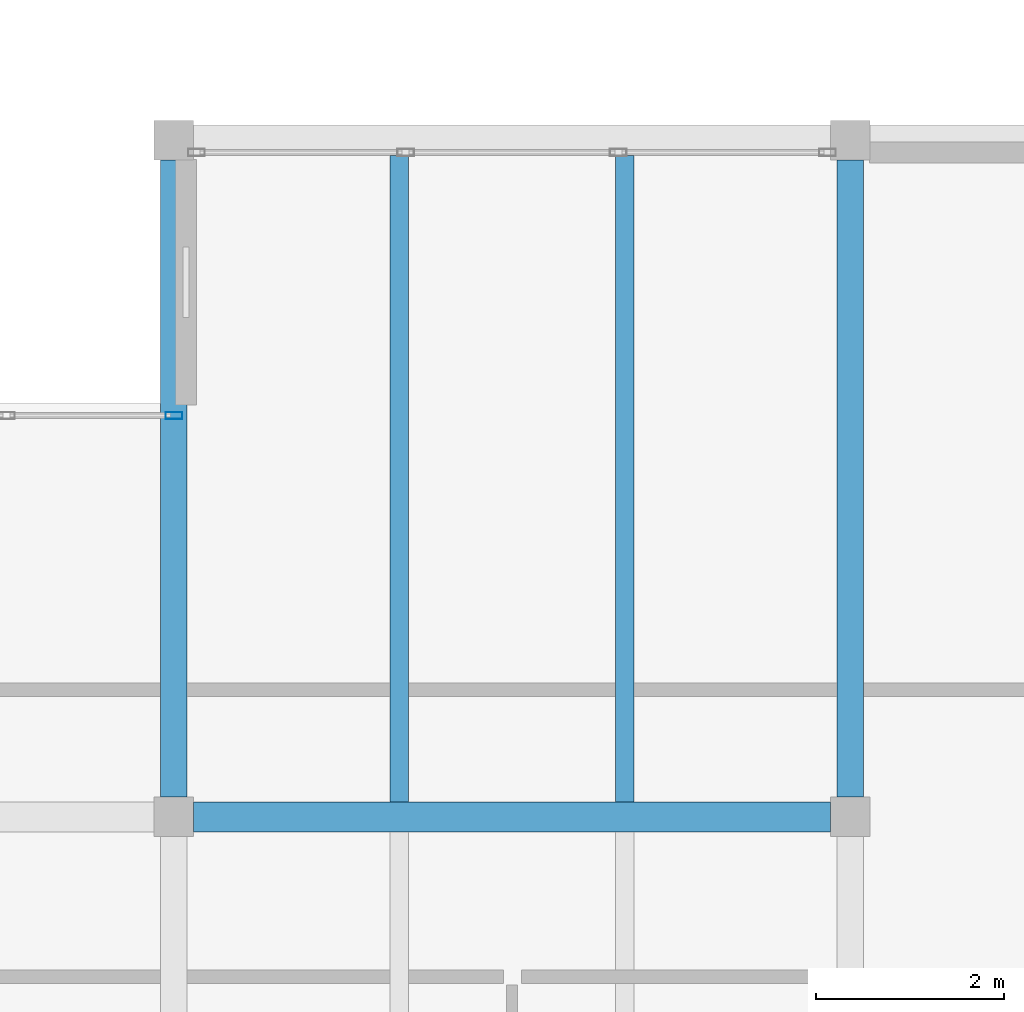
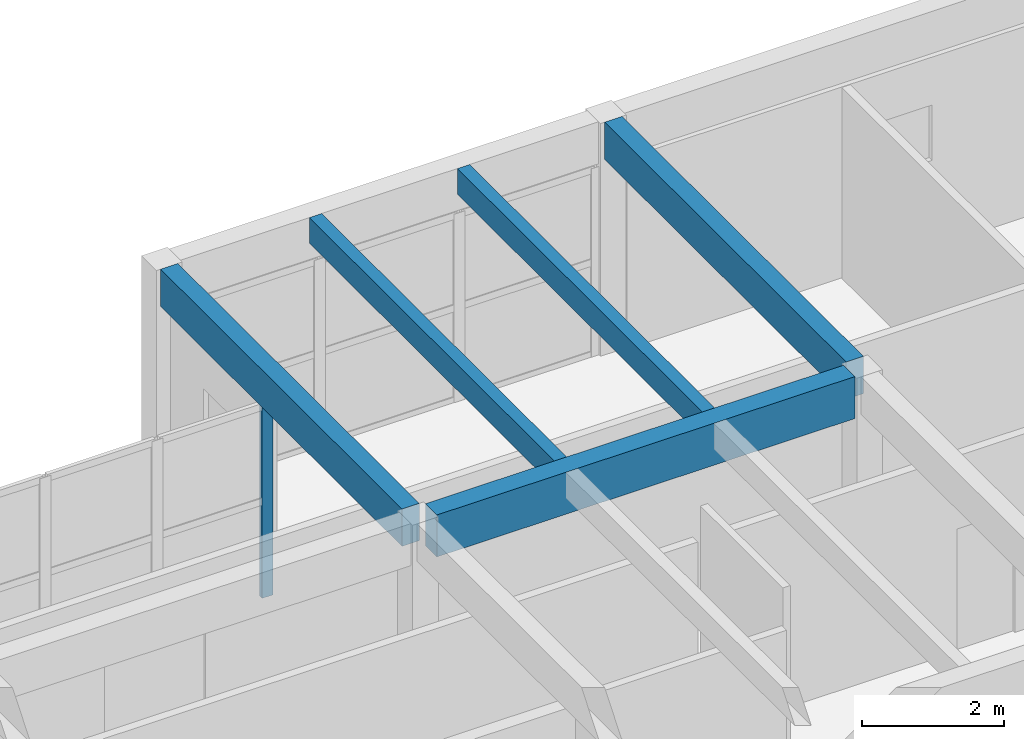
# One storey, part 33 of 68: 5 beams, 1 member, 1 element without a shape of its own.
"""IFC4 building model written with IfcOpenShell, lengths in metres."""

from ifc_helpers import new_model, si_unit, direction, frame, origin, origin_2d, place, context, subcontext, project, spatial, rectangle, hollow_rectangle, extrude, material, material_profile, profile_set, type_object, element, aggregate, save


model = new_model("IFC4")

# Units and contexts
model_context = context("Model", 3, precision=1e-05, world=origin(), true_north=direction((0.0, 1.0)))
body_context = subcontext(model_context, "Body", "Model", "MODEL_VIEW")
ifc_project = project(units=[si_unit("LENGTHUNIT", "METRE"), si_unit("AREAUNIT", "SQUARE_METRE"), si_unit("VOLUMEUNIT", "CUBIC_METRE"), si_unit("PLANEANGLEUNIT", "RADIAN"), si_unit("MASSUNIT", "GRAM", prefix="KILO")], contexts=[model_context])

# Site, building, storey
site_placement = place(None, origin())
site = spatial("IfcSite", under=ifc_project, at=site_placement, CompositionType="ELEMENT")
building_placement = place(site_placement, origin())
building = spatial("IfcBuilding", under=site, at=building_placement, Name="Bramvelor Terrace Health Centre", CompositionType="ELEMENT")
storey_placement = place(building_placement, frame((0.0, 0.0, 9.300048828125)))
storey = spatial("IfcBuildingStorey", under=building, at=storey_placement, Name="L03", CompositionType="ELEMENT", Elevation=9.300048828125)

# Beams
ifc_material_1 = material(Name="Glulam GL28h", Category="wood")
ifc_material_profile_1 = material_profile(ifc_material_1, rectangle(XDim=0.280029296875, YDim=0.639892578125, at=origin_2d()), Name="GL 280x640")
ifc_profile_set_1 = profile_set([ifc_material_profile_1], Name="Glulam GL28h")
beam_type_1 = type_object("IfcBeamType", Name="BM-GL-G640", PredefinedType="BEAM", material=ifc_profile_set_1)
for number, where, z_axis, x_axis, name in (
    (1, (64.800048828125, 93.81005859375, 3.669921875), (0.0, 1.0, 0.0), (-1.0, 0.0, 0.0), "L03 Floor Girder"),
    (2, (72.0, 93.81005859375, 3.669921875), (0.0, 1.0, 0.0), (-1.0, 0.0, 0.0), "L03 Floor Girder"),
):
    element("IfcBeam", number, at=place(storey_placement, frame(where, z_axis=z_axis, x_axis=x_axis)), inside=storey, type_object=beam_type_1, Name=name, PredefinedType="BEAM", context=body_context, shape_type="SweptSolid", body=[
        extrude(rectangle(XDim=0.280029296875, YDim=0.639892578125, at=origin_2d()), origin(), (0.0, 0.0, 1.0), 6.780029296875),
    ])
ifc_material_2 = material(Name="Glulam GL28h", Category="wood")
ifc_material_profile_2 = material_profile(ifc_material_2, rectangle(XDim=0.320068359375, YDim=0.719970703125, at=origin_2d()), Name="GL 320x720")
ifc_profile_set_2 = profile_set([ifc_material_profile_2], Name="Glulam GL28h")
beam_type_2 = type_object("IfcBeamType", Name="BM-GL-G720", PredefinedType="BEAM", material=ifc_profile_set_2)
beam_placement = place(storey_placement, frame((65.010009765625, 93.60009765625, 3.6298828125), z_axis=(1.0, 0.0, 0.0), x_axis=(0.0, 1.0, 0.0)))
element("IfcBeam", 3, at=beam_placement, inside=storey, type_object=beam_type_2, Name="L03 Floor Girder", PredefinedType="BEAM", context=body_context, shape_type="SweptSolid", body=[
    extrude(rectangle(XDim=0.320068359375, YDim=0.719970703125, at=origin_2d()), origin(), (0.0, 0.0, 1.0), 6.780029296875),
])
ifc_material_3 = material(Name="Glulam GL28h", Category="wood")
ifc_material_profile_3 = material_profile(ifc_material_3, rectangle(XDim=0.199951171875, YDim=0.43994140625, at=origin_2d()), Name="GL 200x440")
ifc_profile_set_3 = profile_set([ifc_material_profile_3], Name="Glulam GL28h")
beam_type_3 = type_object("IfcBeamType", Name="BM-GL-J440", PredefinedType="JOIST", material=ifc_profile_set_3)
for number, where, z_axis, x_axis, name in (
    (4, (67.199951171875, 93.760009765625, 3.77001953125), (0.0, 1.0, 0.0), (-1.0, 0.0, 0.0), "L03 Secondary Floor Joist"),
    (5, (69.60009765625, 93.760009765625, 3.77001953125), (0.0, 1.0, 0.0), (-1.0, 0.0, 0.0), "L03 Secondary Floor Joist"),
):
    element("IfcBeam", number, at=place(storey_placement, frame(where, z_axis=z_axis, x_axis=x_axis)), inside=storey, type_object=beam_type_3, Name=name, PredefinedType="JOIST", context=body_context, shape_type="SweptSolid", body=[
        extrude(rectangle(XDim=0.199951171875, YDim=0.43994140625, at=origin_2d()), origin(), (0.0, 0.0, 1.0), 6.8798828125),
    ])

# Curtain wall, member
ifc_material_4 = material(Name="Anodized aluminium and double low-E glass", Category="aluminium")
curtain_wall_type = type_object("IfcCurtainWallType", Name="CW-SYS-01", PredefinedType="NOTDEFINED", material=ifc_material_4)
curtain_wall_placement = place(storey_placement, origin())
curtain_wall = element("IfcCurtainWall", 6, at=curtain_wall_placement, inside=storey, type_object=curtain_wall_type, Name="L03 Unitized Curtain Wall 175", PredefinedType="NOTDEFINED")
ifc_material_5 = material(Name="Anodized aluminium 6063-T6", Category="aluminium")
ifc_material_profile_4 = material_profile(ifc_material_5, hollow_rectangle(XDim=0.074951171875, YDim=0.179931640625, WallThickness=0.00341796875, at=origin_2d()), Name="ALU-MUL 75x180x3.5")
ifc_profile_set_4 = profile_set([ifc_material_profile_4], Name="Anodized aluminium 6063-T6")
member_type = type_object("IfcMemberType", Name="CW-MUL-65x180", PredefinedType="MULLION", material=ifc_profile_set_4)
member_placement = place(storey_placement, frame((64.802490234375, 97.8701171875, 0.0), z_axis=(0.0, 0.0, 1.0), x_axis=(0.0, 1.0, 0.0)))
member = element("IfcMember", 7, at=member_placement, type_object=member_type, Name="CW-01 mullion 5", PredefinedType="MULLION", context=body_context, shape_type="SweptSolid", body=[
    extrude(hollow_rectangle(XDim=0.074951171875, YDim=0.179931640625, WallThickness=0.00341796875, at=origin_2d()), origin(), (0.0, 0.0, 1.0), 3.31005859375),
])
aggregate(curtain_wall, [member])

save(model, "model.ifc")
